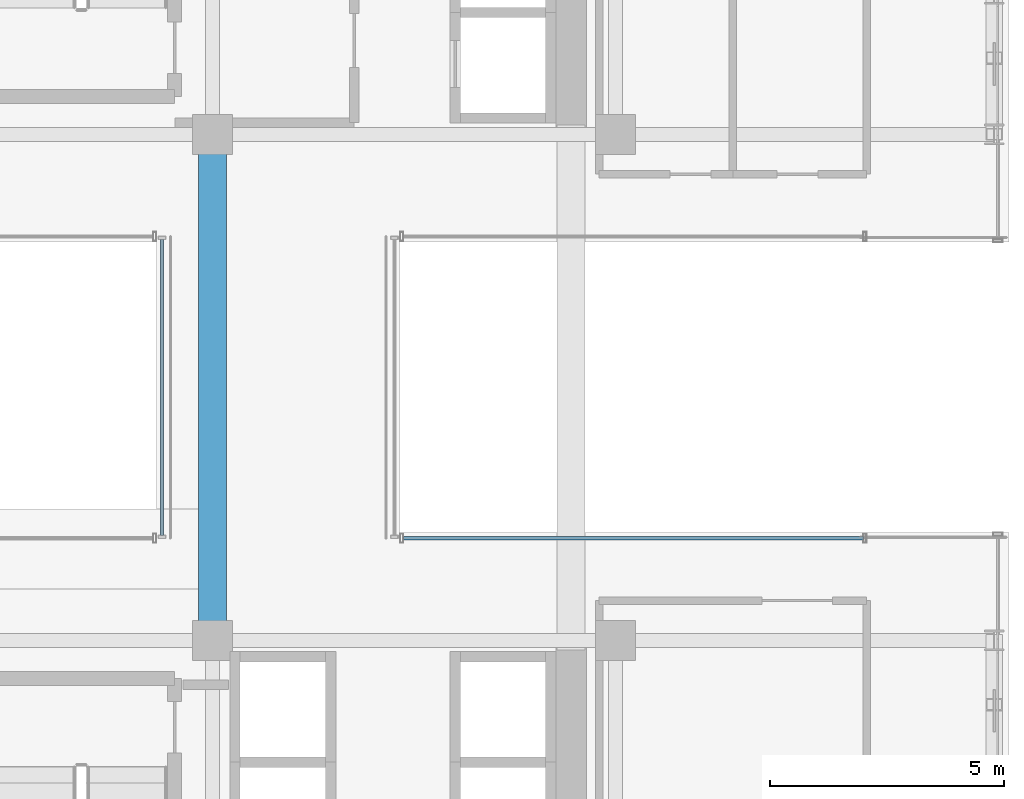
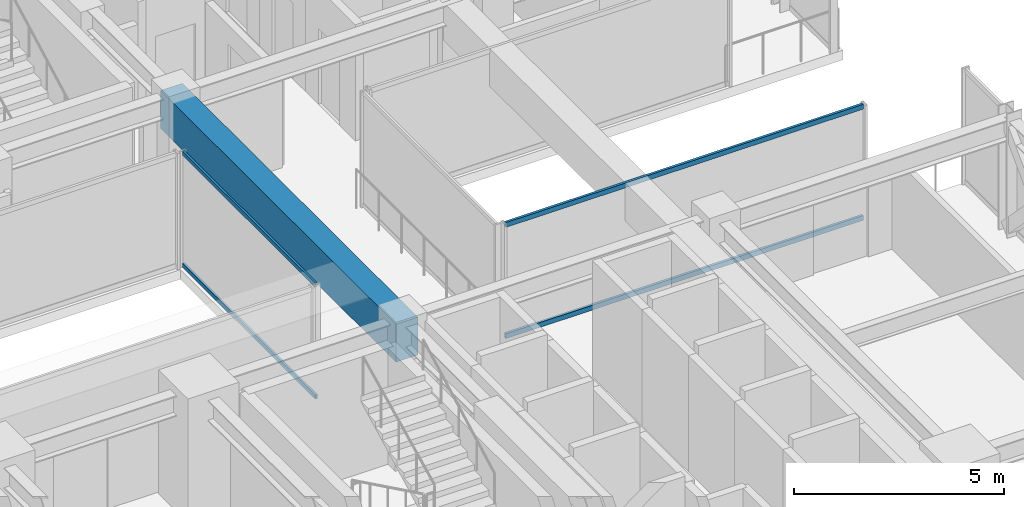
# One storey, part 16 of 43: 4 members, 1 beam, 2 elements without a shape of their own.
"""IFC4 building model written with IfcOpenShell, lengths in metres."""

from ifc_helpers import new_model, si_unit, direction, frame, origin, origin_2d, place, context, subcontext, project, spatial, rectangle, hollow_rectangle, extrude, source, transform, mapped, material, material_profile, profile_set, type_object, element, aggregate, save


model = new_model("IFC4")

# Units and contexts
model_context = context("Model", 3, precision=1e-05, world=origin(), true_north=direction((0.0, 1.0)))
body_context = subcontext(model_context, "Body", "Model", "MODEL_VIEW")
ifc_project = project(units=[si_unit("LENGTHUNIT", "METRE"), si_unit("AREAUNIT", "SQUARE_METRE"), si_unit("VOLUMEUNIT", "CUBIC_METRE"), si_unit("PLANEANGLEUNIT", "RADIAN"), si_unit("MASSUNIT", "GRAM", prefix="KILO")], contexts=[model_context])

# Site, building, storey
site_placement = place(None, origin())
site = spatial("IfcSite", under=ifc_project, at=site_placement, CompositionType="ELEMENT")
building_placement = place(site_placement, origin())
building = spatial("IfcBuilding", under=site, at=building_placement, Name="Nahalor Promenade Grand Hotel", CompositionType="ELEMENT")
storey_placement = place(building_placement, frame((0.0, 0.0, 47.0)))
storey = spatial("IfcBuildingStorey", under=building, at=storey_placement, Name="L10", CompositionType="ELEMENT", Elevation=47.0)

# Beam
ifc_material_1 = material(Name="Concrete B-60 (C50/60)", Category="concrete")
ifc_material_profile_1 = material_profile(ifc_material_1, rectangle(XDim=0.6, YDim=1.1, at=origin_2d()), Name="RC 600x1100")
ifc_profile_set_1 = profile_set([ifc_material_profile_1], Name="Concrete B-60 (C50/60)")
beam_type = type_object("IfcBeamType", Name="Beam-Lintel-RC1100", PredefinedType="LINTEL", material=ifc_profile_set_1)
shared_shape_1 = source(origin(), body_context, "Body", "SweptSolid", [
    extrude(rectangle(XDim=0.6, YDim=1.1, at=origin_2d()), origin(), (0.0, 0.0, 1.0), 11.2001953125),
])
beam_placement = place(storey_placement, frame((8.39990234375, -5.60009765625, 2.820068359375), z_axis=(0.0, 1.0, 0.0), x_axis=(-1.0, 0.0, 0.0)))
element("IfcBeam", 1, at=beam_placement, inside=storey, type_object=beam_type, Name="BM-L10-LINT-W", PredefinedType="LINTEL", context=body_context, shape_type="MappedRepresentation", body=[
    mapped(shared_shape_1, transform((0.0, 0.0, 0.0), scale=1.0)),
])

# Curtain wall, members
ifc_material_2 = material(Name="Anodised Bronze Aluminium EN AW-6063 T6", Category="aluminium")
curtain_wall_type_1 = type_object("IfcCurtainWallType", Name="CW3 Elliptical-Void Collar Unitised Curtain Wall", PredefinedType="USERDEFINED", material=ifc_material_2)
curtain_wall_1_placement = place(storey_placement, origin())
curtain_wall_1 = element("IfcCurtainWall", 2, at=curtain_wall_1_placement, inside=storey, type_object=curtain_wall_type_1, Name="L10 Curtain Wall CW-L10-VOID-ES1", ObjectType="UNITISED_CURTAIN_WALL", PredefinedType="USERDEFINED")
ifc_material_profile_2 = material_profile(ifc_material_2, hollow_rectangle(XDim=0.07, YDim=0.14, WallThickness=0.004, at=origin_2d()), Name="CWT 70x140x4")
ifc_profile_set_2 = profile_set([ifc_material_profile_2], Name="Anodised Bronze Aluminium EN AW-6063 T6")
member_type_1 = type_object("IfcMemberType", Name="CWT3 Void Collar Transom 70x140", PredefinedType="USERDEFINED", material=ifc_profile_set_2)
shared_shape_2 = source(origin(), body_context, "Body", "SweptSolid", [
    extrude(hollow_rectangle(XDim=0.07, YDim=0.14, WallThickness=0.004, at=origin_2d()), origin(), (0.0, 0.0, 1.0), 9.820068359375),
])
member_1_placement = place(storey_placement, frame((12.469970703125, -3.219970703125, 0.070068359375), z_axis=(1.0, 0.0, 0.0), x_axis=(0.0, 1.0, 0.0)))
member_1 = element("IfcMember", 3, at=member_1_placement, type_object=member_type_1, Name="CW-L10-VOID-ES1 Transom 0-0", ObjectType="TRANSOM", PredefinedType="USERDEFINED", context=body_context, shape_type="MappedRepresentation", body=[
    mapped(shared_shape_2, transform((0.0, 0.0, 0.0), scale=1.0)),
])
member_2_placement = place(storey_placement, frame((12.469970703125, -3.219970703125, 3.300048828125), z_axis=(1.0, 0.0, 0.0), x_axis=(0.0, 1.0, 0.0)))
member_2 = element("IfcMember", 4, at=member_2_placement, type_object=member_type_1, Name="CW-L10-VOID-ES1 Transom 0-1", ObjectType="TRANSOM", PredefinedType="USERDEFINED", context=body_context, shape_type="MappedRepresentation", body=[
    mapped(shared_shape_2, transform((0.0, 0.0, 0.0), scale=1.0)),
])
aggregate(curtain_wall_1, [member_1, member_2])

curtain_wall_type_2 = type_object("IfcCurtainWallType", Name="CW4 Low-Iron Sky-Gallery Bridge Curtain Wall", PredefinedType="USERDEFINED", material=ifc_material_2)
curtain_wall_2_placement = place(storey_placement, origin())
curtain_wall_2 = element("IfcCurtainWall", 5, at=curtain_wall_2_placement, inside=storey, type_object=curtain_wall_type_2, Name="L10 Curtain Wall CW-L10-BRG-W", ObjectType="UNITISED_CURTAIN_WALL", PredefinedType="USERDEFINED")
ifc_material_profile_3 = material_profile(ifc_material_2, hollow_rectangle(XDim=0.06, YDim=0.12, WallThickness=0.004, at=origin_2d()), Name="CWT 60x120x4")
ifc_profile_set_3 = profile_set([ifc_material_profile_3], Name="Anodised Bronze Aluminium EN AW-6063 T6")
member_type_2 = type_object("IfcMemberType", Name="CWT4 Sky-Gallery Slim Transom 60x120", PredefinedType="USERDEFINED", material=ifc_profile_set_3)
shared_shape_3 = source(origin(), body_context, "Body", "SweptSolid", [
    extrude(hollow_rectangle(XDim=0.06, YDim=0.12, WallThickness=0.004, at=origin_2d()), origin(), (0.0, 0.0, 1.0), 6.31982421875),
])
member_3_placement = place(storey_placement, frame((7.320068359375, -3.159912109375, 0.06005859375), z_axis=(0.0, 1.0, 0.0), x_axis=(-1.0, 0.0, 0.0)))
member_3 = element("IfcMember", 6, at=member_3_placement, type_object=member_type_2, Name="CW-L10-BRG-W Transom 0-0", ObjectType="TRANSOM", PredefinedType="USERDEFINED", context=body_context, shape_type="MappedRepresentation", body=[
    mapped(shared_shape_3, transform((0.0, 0.0, 0.0), scale=1.0)),
])
member_4_placement = place(storey_placement, frame((7.320068359375, -3.159912109375, 3.31005859375), z_axis=(0.0, 1.0, 0.0), x_axis=(-1.0, 0.0, 0.0)))
member_4 = element("IfcMember", 7, at=member_4_placement, type_object=member_type_2, Name="CW-L10-BRG-W Transom 0-1", ObjectType="TRANSOM", PredefinedType="USERDEFINED", context=body_context, shape_type="MappedRepresentation", body=[
    mapped(shared_shape_3, transform((0.0, 0.0, 0.0), scale=1.0)),
])
aggregate(curtain_wall_2, [member_3, member_4])

save(model, "model.ifc")
